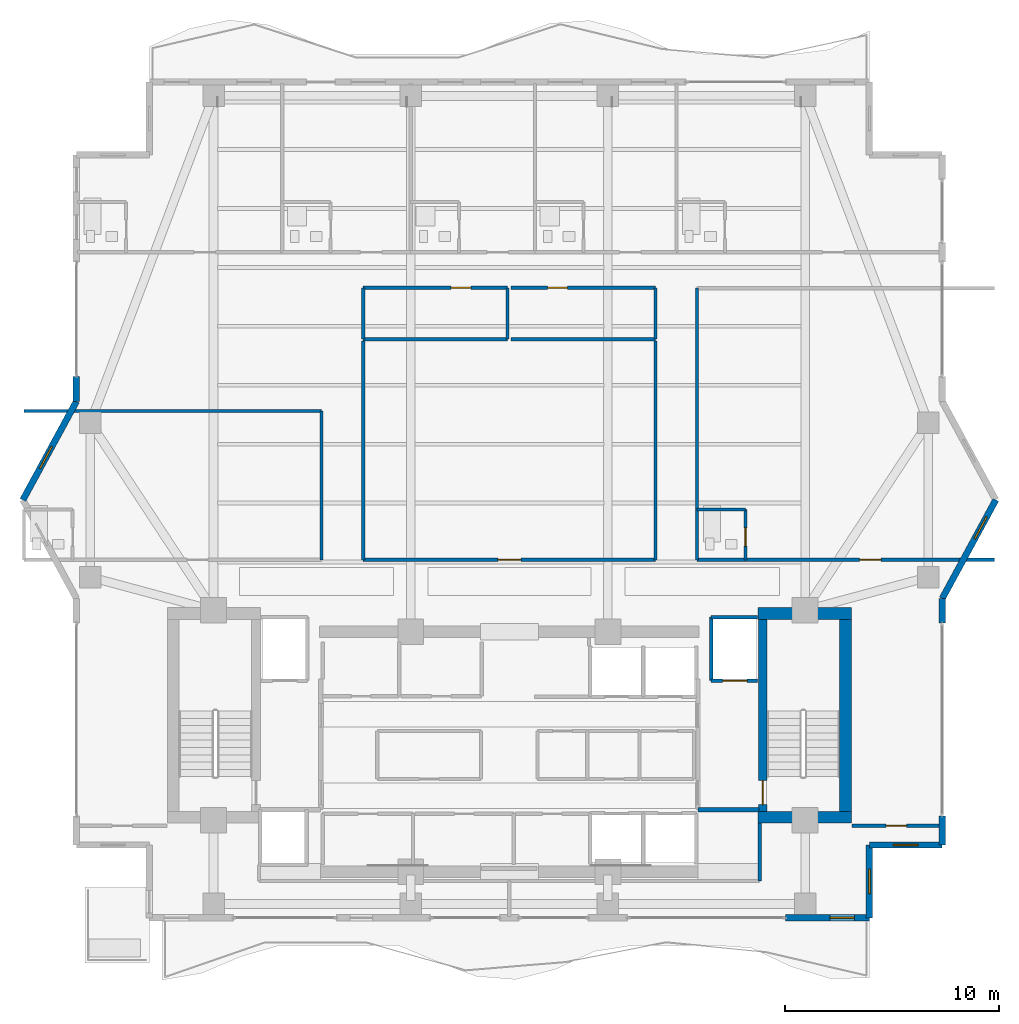
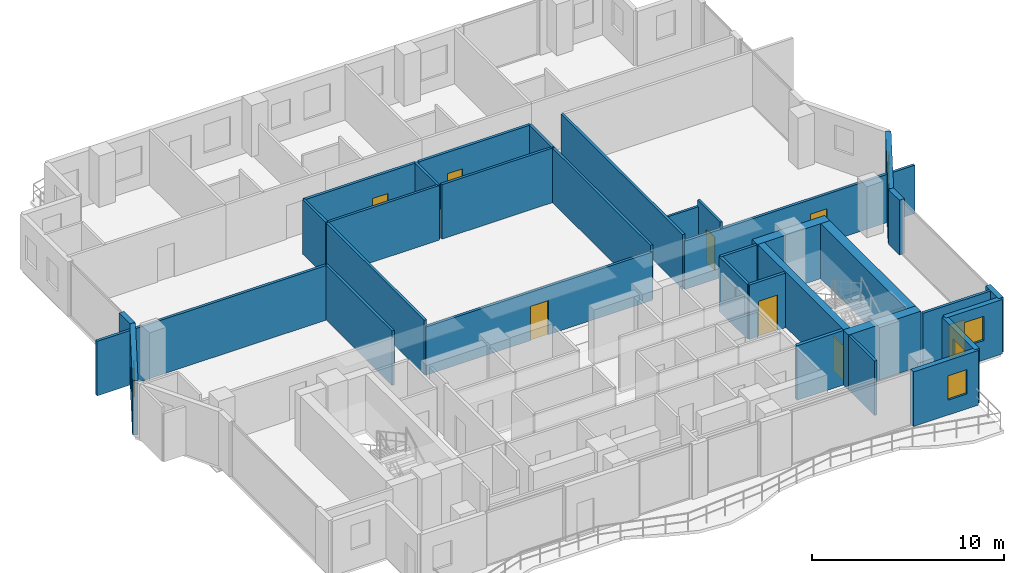
# One storey, part 22 of 28: 34 walls, 8 doors, 5 windows, 13 openings.
"""IFC4 building model written with IfcOpenShell, lengths in metres."""

from ifc_helpers import new_model, si_unit, direction, frame, frame_2d, origin, place, context, subcontext, project, spatial, rectangle, extrude, material, layer, layer_set, type_object, element, fill, save


model = new_model("IFC4")

# Units and contexts
model_context = context("Model", 3, precision=1e-05, world=origin(), true_north=direction((0.0, 1.0)))
body_context = subcontext(model_context, "Body", "Model", "MODEL_VIEW")
ifc_project = project(units=[si_unit("LENGTHUNIT", "METRE"), si_unit("AREAUNIT", "SQUARE_METRE"), si_unit("VOLUMEUNIT", "CUBIC_METRE"), si_unit("PLANEANGLEUNIT", "RADIAN"), si_unit("MASSUNIT", "GRAM", prefix="KILO")], contexts=[model_context])

# Site, building, storey
site_placement = place(None, origin())
site = spatial("IfcSite", under=ifc_project, at=site_placement, CompositionType="ELEMENT")
building_placement = place(site_placement, origin())
building = spatial("IfcBuilding", under=site, at=building_placement, Name="Zuhayl Quay Hotel", CompositionType="ELEMENT")
storey_placement = place(building_placement, frame((0.0, 0.0, 239.64990234375)))
storey = spatial("IfcBuildingStorey", under=building, at=storey_placement, Name="L60", CompositionType="ELEMENT", Elevation=239.64990234375)

# Walls
ifc_material_1 = material(Name="Concrete C50/60", Category="concrete")
ifc_layer_1 = layer(ifc_material_1, 0.550048828125, Name="Concrete C50/60", Category="concrete")
ifc_layer_set_1 = layer_set([ifc_layer_1], Name="Concrete C50/60")
wall_type_1 = type_object("IfcWallType", Name="WL_CORE_550", PredefinedType="SHEAR", material=ifc_layer_set_1)
wall_1_placement = place(storey_placement, frame((11.60009765625, 14.205078125, 0.0), z_axis=(0.0, 0.0, 1.0), x_axis=(1.0, 0.0, 0.0)))
element("IfcWall", 1, at=wall_1_placement, inside=storey, type_object=wall_type_1, Name="L60 Core Shear Wall CW_NE", PredefinedType="SHEAR", context=body_context, shape_type="SweptSolid", body=[
    extrude(rectangle(XDim=4.35986328125, YDim=0.550048828125, at=frame_2d((2.179931640625, 0.0))), origin(), (0.0, 0.0, 1.0), 3.510009765625),
])
wall_2_placement = place(storey_placement, frame((15.68505859375, 4.969970703125, 0.0), z_axis=(0.0, 0.0, 1.0), x_axis=(0.0, 1.0, 0.0)))
element("IfcWall", 2, at=wall_2_placement, inside=storey, type_object=wall_type_1, Name="L60 Core Shear Wall CW_E", PredefinedType="SHEAR", context=body_context, shape_type="SweptSolid", body=[
    extrude(rectangle(XDim=8.9599609375, YDim=0.550048828125, at=frame_2d((4.47998046875, 0.0))), origin(), (0.0, 0.0, 1.0), 3.510009765625),
])
wall_3_placement = place(storey_placement, frame((11.60009765625, 4.695068359375, 0.0), z_axis=(0.0, 0.0, 1.0), x_axis=(1.0, 0.0, 0.0)))
element("IfcWall", 3, at=wall_3_placement, inside=storey, type_object=wall_type_1, Name="L60 Core Shear Wall CW_SE", PredefinedType="SHEAR", context=body_context, shape_type="SweptSolid", body=[
    extrude(rectangle(XDim=4.35986328125, YDim=0.550048828125, at=frame_2d((2.179931640625, 0.0))), origin(), (0.0, 0.0, 1.0), 3.510009765625),
])

# Wall, opening, window
ifc_material_2 = material(Name="Precast concrete C45/55", Category="concrete")
ifc_layer_2 = layer(ifc_material_2, 0.300048828125, Name="Precast concrete C45/55", Category="concrete")
ifc_layer_set_2 = layer_set([ifc_layer_2], Name="Precast concrete C45/55")
wall_type_2 = type_object("IfcWallType", Name="WL_EXT_300", PredefinedType="STANDARD", material=ifc_layer_set_2)
wall_4_placement = place(storey_placement, frame((-22.699951171875, 19.5, 0.0), z_axis=(0.0, 0.0, 1.0), x_axis=(0.477505494629, 0.878628762675, 0.0)))
wall_4 = element("IfcWall", 4, at=wall_4_placement, inside=storey, type_object=wall_type_2, Name="L60 Exterior Precast Wall ENV_L60_EW04", PredefinedType="STANDARD", context=body_context, shape_type="SweptSolid", body=[
    extrude(rectangle(XDim=5.235595703125, YDim=0.300048828125, at=frame_2d((2.61767578125, 0.0))), origin(), (0.0, 0.0, 1.0), 3.47998046875),
])
opening_1_placement = place(wall_4_placement, frame((1.6787109375, 0.0, 1.25)))
opening_1 = element("IfcOpeningElement", 5, at=opening_1_placement, cuts=wall_4, Name="Opening W01N", PredefinedType="OPENING", context=body_context, shape_type="SweptSolid", body=[
    extrude(rectangle(XDim=1.14990234375, YDim=1.550048828125, at=frame_2d((0.574951171875, 0.77490234375))), frame((0.0, 0.159912109375, 0.0), z_axis=(0.0, -1.0, 0.0), x_axis=(1.0, 0.0, 0.0)), (0.0, 0.0, 1.0), 0.320068359375),
])
ifc_material_3 = material(Name="Dark Ceramic-Fritted Solar Glass", Category="glass")
window_type = type_object("IfcWindowType", Name="WN_NOTCH_1350", PartitioningType="SINGLE_PANEL", PredefinedType="WINDOW", material=ifc_material_3)
window_1_placement = place(opening_1_placement, origin())
window_1 = element("IfcWindow", 6, at=window_1_placement, inside=storey, type_object=window_type, Name="L60 Corner Notch Window 4", OverallHeight=1.550048828125, OverallWidth=1.14990234375, PartitioningType="SINGLE_PANEL", PredefinedType="WINDOW", context=body_context, shape_type="SweptSolid", body=[
    extrude(rectangle(XDim=1.14990234375, YDim=1.550048828125, at=frame_2d((0.574951171875, 0.77490234375))), frame((0.0, 0.030029296875, 0.0), z_axis=(0.0, -1.0, 0.0), x_axis=(1.0, 0.0, 0.0)), (0.0, 0.0, 1.0), 0.06005859375),
])
fill(opening_1, window_1)

# Wall
wall_5_placement = place(storey_placement, frame((-20.199951171875, 24.10009765625, 0.0), z_axis=(0.0, 0.0, 1.0), x_axis=(0.0, 1.0, 0.0)))
element("IfcWall", 7, at=wall_5_placement, inside=storey, type_object=wall_type_2, Name="L60 Exterior Precast Wall ENV_L60_E05_EW1", PredefinedType="STANDARD", context=body_context, shape_type="SweptSolid", body=[
    extrude(rectangle(XDim=1.14990234375, YDim=0.300048828125, at=frame_2d((0.574951171875, 0.0))), origin(), (0.0, 0.0, 1.0), 3.47998046875),
])

# Wall, opening, window
wall_6_placement = place(storey_placement, frame((22.699951171875, 19.5, 0.0), z_axis=(0.0, 0.0, 1.0), x_axis=(-0.477505494629, -0.878628762675, 0.0)))
wall_6 = element("IfcWall", 8, at=wall_6_placement, inside=storey, type_object=wall_type_2, Name="L60 Exterior Precast Wall ENV_L60_EW13", PredefinedType="STANDARD", context=body_context, shape_type="SweptSolid", body=[
    extrude(rectangle(XDim=5.235595703125, YDim=0.300048828125, at=frame_2d((2.61767578125, 0.0))), origin(), (0.0, 0.0, 1.0), 3.47998046875),
])
opening_2_placement = place(wall_6_placement, frame((0.91064453125, 0.0, 1.25)))
opening_2 = element("IfcOpeningElement", 9, at=opening_2_placement, cuts=wall_6, Name="Opening W01N", PredefinedType="OPENING", context=body_context, shape_type="SweptSolid", body=[
    extrude(rectangle(XDim=1.14990234375, YDim=1.550048828125, at=frame_2d((0.574951171875, 0.77490234375))), frame((0.0, 0.159912109375, 0.0), z_axis=(0.0, -1.0, 0.0), x_axis=(1.0, 0.0, 0.0)), (0.0, 0.0, 1.0), 0.320068359375),
])
window_2_placement = place(opening_2_placement, origin())
window_2 = element("IfcWindow", 10, at=window_2_placement, inside=storey, type_object=window_type, Name="L60 Corner Notch Window 13", OverallHeight=1.550048828125, OverallWidth=1.14990234375, PartitioningType="SINGLE_PANEL", PredefinedType="WINDOW", context=body_context, shape_type="SweptSolid", body=[
    extrude(rectangle(XDim=1.14990234375, YDim=1.550048828125, at=frame_2d((0.574951171875, 0.77490234375))), frame((0.0, 0.030029296875, 0.0), z_axis=(0.0, -1.0, 0.0), x_axis=(1.0, 0.0, 0.0)), (0.0, 0.0, 1.0), 0.06005859375),
])
fill(opening_2, window_2)

# Walls
wall_7_placement = place(storey_placement, frame((20.199951171875, 14.89990234375, 0.0), z_axis=(0.0, 0.0, 1.0), x_axis=(0.0, -1.0, 0.0)))
element("IfcWall", 11, at=wall_7_placement, inside=storey, type_object=wall_type_2, Name="L60 Exterior Precast Wall ENV_L60_E14_EW1", PredefinedType="STANDARD", context=body_context, shape_type="SweptSolid", body=[
    extrude(rectangle(XDim=1.14990234375, YDim=0.300048828125, at=frame_2d((0.574951171875, 0.0))), origin(), (0.0, 0.0, 1.0), 3.47998046875),
])
wall_8_placement = place(storey_placement, frame((20.199951171875, 4.75, 0.0), z_axis=(0.0, 0.0, 1.0), x_axis=(0.0, -1.0, 0.0)))
element("IfcWall", 12, at=wall_8_placement, inside=storey, type_object=wall_type_2, Name="L60 Exterior Precast Wall ENV_L60_E14_EW2", PredefinedType="STANDARD", context=body_context, shape_type="SweptSolid", body=[
    extrude(rectangle(XDim=1.35009765625, YDim=0.300048828125, at=frame_2d((0.675048828125, 0.0))), origin(), (0.0, 0.0, 1.0), 3.47998046875),
])

# Wall, opening, window
wall_9_placement = place(storey_placement, frame((20.199951171875, 3.39990234375, 0.0), z_axis=(0.0, 0.0, 1.0), x_axis=(-1.0, 0.0, 0.0)))
wall_9 = element("IfcWall", 13, at=wall_9_placement, inside=storey, type_object=wall_type_2, Name="L60 Exterior Precast Wall ENV_L60_EW15", PredefinedType="STANDARD", context=body_context, shape_type="SweptSolid", body=[
    extrude(rectangle(XDim=3.39990234375, YDim=0.300048828125, at=frame_2d((1.699951171875, 0.0))), origin(), (0.0, 0.0, 1.0), 3.47998046875),
])
opening_3_placement = place(wall_9_placement, frame((1.125, 0.0, 1.25)))
opening_3 = element("IfcOpeningElement", 14, at=opening_3_placement, cuts=wall_9, Name="Opening W01N", PredefinedType="OPENING", context=body_context, shape_type="SweptSolid", body=[
    extrude(rectangle(XDim=1.14990234375, YDim=1.550048828125, at=frame_2d((0.574951171875, 0.77490234375))), frame((0.0, 0.159912109375, 0.0), z_axis=(0.0, -1.0, 0.0), x_axis=(1.0, 0.0, 0.0)), (0.0, 0.0, 1.0), 0.320068359375),
])
window_3_placement = place(opening_3_placement, origin())
window_3 = element("IfcWindow", 15, at=window_3_placement, inside=storey, type_object=window_type, Name="L60 Corner Notch Window 15", OverallHeight=1.550048828125, OverallWidth=1.14990234375, PartitioningType="SINGLE_PANEL", PredefinedType="WINDOW", context=body_context, shape_type="SweptSolid", body=[
    extrude(rectangle(XDim=1.14990234375, YDim=1.550048828125, at=frame_2d((0.574951171875, 0.77490234375))), frame((0.0, 0.030029296875, 0.0), z_axis=(0.0, -1.0, 0.0), x_axis=(1.0, 0.0, 0.0)), (0.0, 0.0, 1.0), 0.06005859375),
])
fill(opening_3, window_3)

wall_10_placement = place(storey_placement, frame((16.800048828125, 3.39990234375, 0.0), z_axis=(0.0, 0.0, 1.0), x_axis=(0.0, -1.0, 0.0)))
wall_10 = element("IfcWall", 16, at=wall_10_placement, inside=storey, type_object=wall_type_2, Name="L60 Exterior Precast Wall ENV_L60_EW16", PredefinedType="STANDARD", context=body_context, shape_type="SweptSolid", body=[
    extrude(rectangle(XDim=3.39990234375, YDim=0.300048828125, at=frame_2d((1.699951171875, 0.0))), origin(), (0.0, 0.0, 1.0), 3.47998046875),
])
opening_4_placement = place(wall_10_placement, frame((1.125, 0.0, 1.25)))
opening_4 = element("IfcOpeningElement", 17, at=opening_4_placement, cuts=wall_10, Name="Opening W01N", PredefinedType="OPENING", context=body_context, shape_type="SweptSolid", body=[
    extrude(rectangle(XDim=1.14990234375, YDim=1.550048828125, at=frame_2d((0.574951171875, 0.77490234375))), frame((0.0, 0.159912109375, 0.0), z_axis=(0.0, -1.0, 0.0), x_axis=(1.0, 0.0, 0.0)), (0.0, 0.0, 1.0), 0.320068359375),
])
window_4_placement = place(opening_4_placement, origin())
window_4 = element("IfcWindow", 18, at=window_4_placement, inside=storey, type_object=window_type, Name="L60 Corner Notch Window 16", OverallHeight=1.550048828125, OverallWidth=1.14990234375, PartitioningType="SINGLE_PANEL", PredefinedType="WINDOW", context=body_context, shape_type="SweptSolid", body=[
    extrude(rectangle(XDim=1.14990234375, YDim=1.550048828125, at=frame_2d((0.574951171875, 0.77490234375))), frame((0.0, 0.030029296875, 0.0), z_axis=(0.0, -1.0, 0.0), x_axis=(1.0, 0.0, 0.0)), (0.0, 0.0, 1.0), 0.06005859375),
])
fill(opening_4, window_4)

wall_11_placement = place(storey_placement, frame((16.800048828125, 0.0, 0.0), z_axis=(0.0, 0.0, 1.0), x_axis=(-1.0, 0.0, 0.0)))
wall_11 = element("IfcWall", 19, at=wall_11_placement, inside=storey, type_object=wall_type_2, Name="L60 Exterior Precast Wall ENV_L60_S_EW1", PredefinedType="STANDARD", context=body_context, shape_type="SweptSolid", body=[
    extrude(rectangle(XDim=3.920166015625, YDim=0.300048828125, at=frame_2d((1.9599609375, 0.0))), origin(), (0.0, 0.0, 1.0), 3.47998046875),
])
opening_5_placement = place(wall_11_placement, frame((0.695068359375, 0.0, 0.949951171875)))
opening_5 = element("IfcOpeningElement", 20, at=opening_5_placement, cuts=wall_11, Name="Opening W01N", PredefinedType="OPENING", context=body_context, shape_type="SweptSolid", body=[
    extrude(rectangle(XDim=1.14990234375, YDim=1.550048828125, at=frame_2d((0.574951171875, 0.77490234375))), frame((0.0, 0.159912109375, 0.0), z_axis=(0.0, -1.0, 0.0), x_axis=(1.0, 0.0, 0.0)), (0.0, 0.0, 1.0), 0.320068359375),
])
window_5_placement = place(opening_5_placement, origin())
window_5 = element("IfcWindow", 21, at=window_5_placement, inside=storey, type_object=window_type, Name="L60 Operable Facade Window 1-1", OverallHeight=1.550048828125, OverallWidth=1.14990234375, PartitioningType="SINGLE_PANEL", PredefinedType="WINDOW", context=body_context, shape_type="SweptSolid", body=[
    extrude(rectangle(XDim=1.14990234375, YDim=1.550048828125, at=frame_2d((0.574951171875, 0.77490234375))), frame((0.0, 0.030029296875, 0.0), z_axis=(0.0, -1.0, 0.0), x_axis=(1.0, 0.0, 0.0)), (0.0, 0.0, 1.0), 0.06005859375),
])
fill(opening_5, window_5)

# Walls
ifc_material_4 = material(Name="Acoustic Gypsum Partition STC-58")
ifc_layer_3 = layer(ifc_material_4, 0.14990234375, Name="Acoustic Gypsum Partition STC-58")
ifc_layer_set_3 = layer_set([ifc_layer_3], Name="Acoustic Gypsum Partition STC-58")
wall_type_3 = type_object("IfcWallType", Name="WL_PART_150", PredefinedType="PARTITIONING", material=ifc_layer_set_3)
wall_12_placement = place(storey_placement, frame((11.679931640625, 1.719970703125, 0.0), z_axis=(0.0, 0.0, 1.0), x_axis=(0.0, 1.0, 0.0)))
element("IfcWall", 22, at=wall_12_placement, inside=storey, type_object=wall_type_3, Name="L60 Partition IW_L60_Z4_SUN_SE_IN", PredefinedType="PARTITIONING", context=body_context, shape_type="SweptSolid", body=[
    extrude(rectangle(XDim=2.699951171875, YDim=0.14990234375, at=frame_2d((1.35009765625, 0.0))), origin(), (0.0, 0.0, 1.0), 3.47998046875),
])
wall_13_placement = place(storey_placement, frame((-6.820068359375, 27.0, 0.0), z_axis=(0.0, 0.0, 1.0), x_axis=(1.0, 0.0, 0.0)))
element("IfcWall", 23, at=wall_13_placement, inside=storey, type_object=wall_type_3, Name="L60 Partition IW_L60_HK_MAIN_S", PredefinedType="PARTITIONING", context=body_context, shape_type="SweptSolid", body=[
    extrude(rectangle(XDim=6.739990234375, YDim=0.14990234375, at=frame_2d((3.3701171875, 0.0))), origin(), (0.0, 0.0, 1.0), 3.47998046875),
])
for number, where, z_axis, x_axis, name in (
    (24, (-6.820068359375, 27.0, 0.0), (0.0, 0.0, 1.0), (0.0, 1.0, 0.0), "L60 Partition IW_L60_HK_MAIN_W"),
    (25, (-0.080078125, 27.0, 0.0), (0.0, 0.0, 1.0), (0.0, 1.0, 0.0), "L60 Partition IW_L60_HK_MAIN_E"),
):
    element("IfcWall", number, at=place(storey_placement, frame(where, z_axis=z_axis, x_axis=x_axis)), inside=storey, type_object=wall_type_3, Name=name, PredefinedType="PARTITIONING", context=body_context, shape_type="SweptSolid", body=[
        extrude(rectangle(XDim=2.39990234375, YDim=0.14990234375, at=frame_2d((1.199951171875, 0.0))), origin(), (0.0, 0.0, 1.0), 3.47998046875),
    ])
wall_14_placement = place(storey_placement, frame((0.080078125, 27.0, 0.0), z_axis=(0.0, 0.0, 1.0), x_axis=(1.0, 0.0, 0.0)))
element("IfcWall", 26, at=wall_14_placement, inside=storey, type_object=wall_type_3, Name="L60 Partition IW_L60_TEA_MAIN_S", PredefinedType="PARTITIONING", context=body_context, shape_type="SweptSolid", body=[
    extrude(rectangle(XDim=6.739990234375, YDim=0.14990234375, at=frame_2d((3.3701171875, 0.0))), origin(), (0.0, 0.0, 1.0), 3.47998046875),
])
wall_15_placement = place(storey_placement, frame((6.820068359375, 27.0, 0.0), z_axis=(0.0, 0.0, 1.0), x_axis=(0.0, 1.0, 0.0)))
element("IfcWall", 27, at=wall_15_placement, inside=storey, type_object=wall_type_3, Name="L60 Partition IW_L60_TEA_MAIN_E", PredefinedType="PARTITIONING", context=body_context, shape_type="SweptSolid", body=[
    extrude(rectangle(XDim=2.39990234375, YDim=0.14990234375, at=frame_2d((1.199951171875, 0.0))), origin(), (0.0, 0.0, 1.0), 3.47998046875),
])
for number, where, z_axis, x_axis, name in (
    (28, (-6.820068359375, 16.699951171875, 0.0), (0.0, 0.0, 1.0), (0.0, 1.0, 0.0), "L60 Partition IW_L60_Z4_MAJ_W"),
    (29, (6.820068359375, 16.699951171875, 0.0), (0.0, 0.0, 1.0), (0.0, 1.0, 0.0), "L60 Partition IW_L60_Z4_MAJ_E"),
):
    element("IfcWall", number, at=place(storey_placement, frame(where, z_axis=z_axis, x_axis=x_axis)), inside=storey, type_object=wall_type_3, Name=name, PredefinedType="PARTITIONING", context=body_context, shape_type="SweptSolid", body=[
        extrude(rectangle(XDim=10.219970703125, YDim=0.14990234375, at=frame_2d((5.10986328125, 0.0))), origin(), (0.0, 0.0, 1.0), 3.47998046875),
    ])
wall_16_placement = place(storey_placement, frame((-8.760009765625, 16.699951171875, 0.0), z_axis=(0.0, 0.0, 1.0), x_axis=(0.0, 1.0, 0.0)))
element("IfcWall", 30, at=wall_16_placement, inside=storey, type_object=wall_type_3, Name="L60 Partition IW_L60_WU01_E", PredefinedType="PARTITIONING", context=body_context, shape_type="SweptSolid", body=[
    extrude(rectangle(XDim=6.949951171875, YDim=0.14990234375, at=frame_2d((3.47509765625, 0.0))), origin(), (0.0, 0.0, 1.0), 3.47998046875),
])
wall_17_placement = place(storey_placement, frame((8.760009765625, 16.699951171875, 0.0), z_axis=(0.0, 0.0, 1.0), x_axis=(0.0, 1.0, 0.0)))
element("IfcWall", 31, at=wall_17_placement, inside=storey, type_object=wall_type_3, Name="L60 Partition IW_L60_EU01_W", PredefinedType="PARTITIONING", context=body_context, shape_type="SweptSolid", body=[
    extrude(rectangle(XDim=12.679931640625, YDim=0.14990234375, at=frame_2d((6.33984375, 0.0))), origin(), (0.0, 0.0, 1.0), 3.47998046875),
])

# Wall, opening, door
ifc_layer_4 = layer(ifc_material_4, 0.159912109375, Name="Acoustic Gypsum Partition STC-58")
ifc_layer_set_4 = layer_set([ifc_layer_4], Name="Acoustic Gypsum Partition STC-58")
wall_type_4 = type_object("IfcWallType", Name="WL_PART_CORR_160", PredefinedType="PARTITIONING", material=ifc_layer_set_4)
wall_18_placement = place(storey_placement, frame((15.97998046875, 4.300048828125, 0.0), z_axis=(0.0, 0.0, 1.0), x_axis=(1.0, 0.0, 0.0)))
wall_18 = element("IfcWall", 32, at=wall_18_placement, inside=storey, type_object=wall_type_4, Name="L60 Partition IW_L60_Z4_SUN_SE_N", PredefinedType="PARTITIONING", context=body_context, shape_type="SweptSolid", body=[
    extrude(rectangle(XDim=4.159912109375, YDim=0.159912109375, at=frame_2d((2.080078125, 0.0))), origin(), (0.0, 0.0, 1.0), 3.47998046875),
])
opening_6_placement = place(wall_18_placement, frame((1.60498046875, 0.0, 0.0)))
opening_6 = element("IfcOpeningElement", 33, at=opening_6_placement, cuts=wall_18, Name="Opening D03", PredefinedType="OPENING", context=body_context, shape_type="SweptSolid", body=[
    extrude(rectangle(XDim=0.949951171875, YDim=2.14990234375, at=frame_2d((0.47509765625, 1.074951171875))), frame((0.0, 0.08984375, 0.0), z_axis=(0.0, -1.0, 0.0), x_axis=(1.0, 0.0, 0.0)), (0.0, 0.0, 1.0), 0.179931640625),
])
ifc_material_5 = material(Name="Solid Walnut Acoustic Fire Door")
door_type_1 = type_object("IfcDoorType", Name="DR_SUITE_950", OperationType="NOTDEFINED", PredefinedType="DOOR", material=ifc_material_5)
door_1_placement = place(opening_6_placement, origin())
door_1 = element("IfcDoor", 34, at=door_1_placement, inside=storey, type_object=door_type_1, Name="L60 Sunset Salon SE Door", OperationType="SINGLE_SWING_RIGHT", OverallHeight=2.14990234375, OverallWidth=0.949951171875, PredefinedType="DOOR", context=body_context, shape_type="SweptSolid", body=[
    extrude(rectangle(XDim=0.949951171875, YDim=2.14990234375, at=frame_2d((0.47509765625, 1.074951171875))), frame((0.0, 0.02490234375, 0.0), z_axis=(0.0, -1.0, 0.0), x_axis=(1.0, 0.0, 0.0)), (0.0, 0.0, 1.0), 0.050048828125),
])
fill(opening_6, door_1)

wall_19_placement = place(storey_placement, frame((-6.820068359375, 29.39990234375, 0.0), z_axis=(0.0, 0.0, 1.0), x_axis=(1.0, 0.0, 0.0)))
wall_19 = element("IfcWall", 35, at=wall_19_placement, inside=storey, type_object=wall_type_4, Name="L60 Partition IW_L60_HK_MAIN_N", PredefinedType="PARTITIONING", context=body_context, shape_type="SweptSolid", body=[
    extrude(rectangle(XDim=6.739990234375, YDim=0.159912109375, at=frame_2d((3.3701171875, 0.0))), origin(), (0.0, 0.0, 1.0), 3.47998046875),
])
opening_7_placement = place(wall_19_placement, frame((4.110107421875, 0.0, 0.0)))
opening_7 = element("IfcOpeningElement", 36, at=opening_7_placement, cuts=wall_19, Name="Opening D05", PredefinedType="OPENING", context=body_context, shape_type="SweptSolid", body=[
    extrude(rectangle(XDim=0.919921875, YDim=2.1201171875, at=frame_2d((0.4599609375, 1.06005859375))), frame((0.0, 0.08984375, 0.0), z_axis=(0.0, -1.0, 0.0), x_axis=(1.0, 0.0, 0.0)), (0.0, 0.0, 1.0), 0.179931640625),
])
door_type_2 = type_object("IfcDoorType", Name="DR_INT_950", OperationType="NOTDEFINED", PredefinedType="DOOR", material=ifc_material_5)
door_2_placement = place(opening_7_placement, origin())
door_2 = element("IfcDoor", 37, at=door_2_placement, inside=storey, type_object=door_type_2, Name="L60 Housekeeping and Linen Room Door", OperationType="SINGLE_SWING_LEFT", OverallHeight=2.1201171875, OverallWidth=0.919921875, PredefinedType="DOOR", context=body_context, shape_type="SweptSolid", body=[
    extrude(rectangle(XDim=0.919921875, YDim=2.1201171875, at=frame_2d((0.4599609375, 1.06005859375))), frame((0.0, 0.02490234375, 0.0), z_axis=(0.0, -1.0, 0.0), x_axis=(1.0, 0.0, 0.0)), (0.0, 0.0, 1.0), 0.050048828125),
])
fill(opening_7, door_2)

wall_20_placement = place(storey_placement, frame((0.080078125, 29.39990234375, 0.0), z_axis=(0.0, 0.0, 1.0), x_axis=(1.0, 0.0, 0.0)))
wall_20 = element("IfcWall", 38, at=wall_20_placement, inside=storey, type_object=wall_type_4, Name="L60 Partition IW_L60_TEA_MAIN_N", PredefinedType="PARTITIONING", context=body_context, shape_type="SweptSolid", body=[
    extrude(rectangle(XDim=6.739990234375, YDim=0.159912109375, at=frame_2d((3.3701171875, 0.0))), origin(), (0.0, 0.0, 1.0), 3.47998046875),
])
opening_8_placement = place(wall_20_placement, frame((1.7099609375, 0.0, 0.0)))
opening_8 = element("IfcOpeningElement", 39, at=opening_8_placement, cuts=wall_20, Name="Opening D05", PredefinedType="OPENING", context=body_context, shape_type="SweptSolid", body=[
    extrude(rectangle(XDim=0.919921875, YDim=2.1201171875, at=frame_2d((0.4599609375, 1.06005859375))), frame((0.0, 0.08984375, 0.0), z_axis=(0.0, -1.0, 0.0), x_axis=(1.0, 0.0, 0.0)), (0.0, 0.0, 1.0), 0.179931640625),
])
door_3_placement = place(opening_8_placement, origin())
door_3 = element("IfcDoor", 40, at=door_3_placement, inside=storey, type_object=door_type_2, Name="L60 Floor Beverage Pantry Door", OperationType="SINGLE_SWING_RIGHT", OverallHeight=2.1201171875, OverallWidth=0.919921875, PredefinedType="DOOR", context=body_context, shape_type="SweptSolid", body=[
    extrude(rectangle(XDim=0.919921875, YDim=2.1201171875, at=frame_2d((0.4599609375, 1.06005859375))), frame((0.0, 0.02490234375, 0.0), z_axis=(0.0, -1.0, 0.0), x_axis=(1.0, 0.0, 0.0)), (0.0, 0.0, 1.0), 0.050048828125),
])
fill(opening_8, door_3)

wall_21_placement = place(storey_placement, frame((-6.820068359375, 16.699951171875, 0.0), z_axis=(0.0, 0.0, 1.0), x_axis=(1.0, 0.0, 0.0)))
wall_21 = element("IfcWall", 41, at=wall_21_placement, inside=storey, type_object=wall_type_4, Name="L60 Partition IW_L60_Z4_MAJ_S", PredefinedType="PARTITIONING", context=body_context, shape_type="SweptSolid", body=[
    extrude(rectangle(XDim=13.64013671875, YDim=0.159912109375, at=frame_2d((6.820068359375, 0.0))), origin(), (0.0, 0.0, 1.0), 3.076171875),
])
opening_9_placement = place(wall_21_placement, frame((6.280029296875, 0.0, 0.0)))
opening_9 = element("IfcOpeningElement", 42, at=opening_9_placement, cuts=wall_21, Name="Opening D05A", PredefinedType="OPENING", context=body_context, shape_type="SweptSolid", body=[
    extrude(rectangle(XDim=1.080078125, YDim=2.179931640625, at=frame_2d((0.5400390625, 1.08984375))), frame((0.0, 0.08984375, 0.0), z_axis=(0.0, -1.0, 0.0), x_axis=(1.0, 0.0, 0.0)), (0.0, 0.0, 1.0), 0.179931640625),
])
door_type_3 = type_object("IfcDoorType", Name="DR_INT_1100", OperationType="NOTDEFINED", PredefinedType="DOOR", material=ifc_material_5)
door_4_placement = place(opening_9_placement, origin())
door_4 = element("IfcDoor", 43, at=door_4_placement, inside=storey, type_object=door_type_3, Name="L60 Royal Gulf Majlis Door", OperationType="SINGLE_SWING_LEFT", OverallHeight=2.179931640625, OverallWidth=1.080078125, PredefinedType="DOOR", context=body_context, shape_type="SweptSolid", body=[
    extrude(rectangle(XDim=1.080078125, YDim=2.179931640625, at=frame_2d((0.5400390625, 1.08984375))), frame((0.0, 0.02490234375, 0.0), z_axis=(0.0, -1.0, 0.0), x_axis=(1.0, 0.0, 0.0)), (0.0, 0.0, 1.0), 0.050048828125),
])
fill(opening_9, door_4)

wall_22_placement = place(storey_placement, frame((8.760009765625, 16.699951171875, 0.0), z_axis=(0.0, 0.0, 1.0), x_axis=(1.0, 0.0, 0.0)))
wall_22 = element("IfcWall", 44, at=wall_22_placement, inside=storey, type_object=wall_type_4, Name="L60 Partition IW_L60_EU01_COR", PredefinedType="PARTITIONING", context=body_context, shape_type="SweptSolid", body=[
    extrude(rectangle(XDim=13.8798828125, YDim=0.159912109375, at=frame_2d((6.93994140625, 0.0))), origin(), (0.0, 0.0, 1.0), 3.076171875),
])
opening_10_placement = place(wall_22_placement, frame((7.590087890625, 0.0, 0.0)))
opening_10 = element("IfcOpeningElement", 45, at=opening_10_placement, cuts=wall_22, Name="Opening D03L", PredefinedType="OPENING", context=body_context, shape_type="SweptSolid", body=[
    extrude(rectangle(XDim=1.0, YDim=2.14990234375, at=frame_2d((0.5, 1.074951171875))), frame((0.0, 0.08984375, 0.0), z_axis=(0.0, -1.0, 0.0), x_axis=(1.0, 0.0, 0.0)), (0.0, 0.0, 1.0), 0.179931640625),
])
door_type_4 = type_object("IfcDoorType", Name="DR_SUITE_1000", OperationType="NOTDEFINED", PredefinedType="DOOR", material=ifc_material_5)
door_5_placement = place(opening_10_placement, origin())
door_5 = element("IfcDoor", 46, at=door_5_placement, inside=storey, type_object=door_type_4, Name="L60 East Gulf Suite L60-E1 Entrance Door", OperationType="SINGLE_SWING_LEFT", OverallHeight=2.14990234375, OverallWidth=1.0, PredefinedType="DOOR", context=body_context, shape_type="SweptSolid", body=[
    extrude(rectangle(XDim=1.0, YDim=2.14990234375, at=frame_2d((0.5, 1.074951171875))), frame((0.0, 0.02490234375, 0.0), z_axis=(0.0, -1.0, 0.0), x_axis=(1.0, 0.0, 0.0)), (0.0, 0.0, 1.0), 0.050048828125),
])
fill(opening_10, door_5)

# Wall
wall_23_placement = place(storey_placement, frame((-22.639892578125, 23.64990234375, 0.0), z_axis=(0.0, 0.0, 1.0), x_axis=(1.0, 0.0, 0.0)))
element("IfcWall", 47, at=wall_23_placement, inside=storey, type_object=wall_type_4, Name="L60 Partition IW_L60_WU01_BK", PredefinedType="PARTITIONING", context=body_context, shape_type="SweptSolid", body=[
    extrude(rectangle(XDim=13.8798828125, YDim=0.159912109375, at=frame_2d((6.93994140625, 0.0))), origin(), (0.0, 0.0, 1.0), 3.47998046875),
])

# Wall, opening, door
ifc_material_6 = material(Name="Moisture-Resistant Sanitarychase Gypsum")
ifc_layer_5 = layer(ifc_material_6, 0.135009765625, Name="Moisture-Resistant Sanitarychase Gypsum")
ifc_layer_set_5 = layer_set([ifc_layer_5], Name="Moisture-Resistant Sanitarychase Gypsum")
wall_type_5 = type_object("IfcWallType", Name="WL_PART_PLUMB_150", PredefinedType="PLUMBINGWALL", material=ifc_layer_set_5)
wall_24_placement = place(storey_placement, frame((11.02001953125, 16.699951171875, 0.0), z_axis=(0.0, 0.0, 1.0), x_axis=(0.0, 1.0, 0.0)))
wall_24 = element("IfcWall", 48, at=wall_24_placement, inside=storey, type_object=wall_type_5, Name="L60 Partition IW_L60_EU01_BE", PredefinedType="PLUMBINGWALL", context=body_context, shape_type="SweptSolid", body=[
    extrude(rectangle(XDim=2.360107421875, YDim=0.135009765625, at=frame_2d((1.18017578125, 0.0))), origin(), (0.0, 0.0, 1.0), 3.47998046875),
])
opening_11_placement = place(wall_24_placement, frame((0.64990234375, 0.0, 0.0)))
opening_11 = element("IfcOpeningElement", 49, at=opening_11_placement, cuts=wall_24, Name="Opening D04", PredefinedType="OPENING", context=body_context, shape_type="SweptSolid", body=[
    extrude(rectangle(XDim=0.85009765625, YDim=2.10009765625, at=frame_2d((0.425048828125, 1.050048828125))), frame((0.0, 0.077392578125, 0.0), z_axis=(0.0, -1.0, 0.0), x_axis=(1.0, 0.0, 0.0)), (0.0, 0.0, 1.0), 0.155029296875),
])
ifc_material_7 = material(Name="Moisture-Resistant Walnut Veneer")
door_type_5 = type_object("IfcDoorType", Name="DR_BATH_850", OperationType="NOTDEFINED", PredefinedType="DOOR", material=ifc_material_7)
door_6_placement = place(opening_11_placement, origin())
door_6 = element("IfcDoor", 50, at=door_6_placement, inside=storey, type_object=door_type_5, Name="L60 East Gulf Suite L60-E1 En-Suite Door", OperationType="SINGLE_SWING_RIGHT", OverallHeight=2.10009765625, OverallWidth=0.85009765625, PredefinedType="DOOR", context=body_context, shape_type="SweptSolid", body=[
    extrude(rectangle(XDim=0.85009765625, YDim=2.10009765625, at=frame_2d((0.425048828125, 1.050048828125))), frame((0.0, 0.02490234375, 0.0), z_axis=(0.0, -1.0, 0.0), x_axis=(1.0, 0.0, 0.0)), (0.0, 0.0, 1.0), 0.050048828125),
])
fill(opening_11, door_6)

# Wall
wall_25_placement = place(storey_placement, frame((8.760009765625, 19.06005859375, 0.0), z_axis=(0.0, 0.0, 1.0), x_axis=(1.0, 0.0, 0.0)))
element("IfcWall", 51, at=wall_25_placement, inside=storey, type_object=wall_type_5, Name="L60 Partition IW_L60_EU01_BN", PredefinedType="PLUMBINGWALL", context=body_context, shape_type="SweptSolid", body=[
    extrude(rectangle(XDim=2.260009765625, YDim=0.135009765625, at=frame_2d((1.1298828125, 0.0))), origin(), (0.0, 0.0, 1.0), 3.076171875),
])

# Wall, opening, door
ifc_material_8 = material(Name="Gypsum Fireboard Assembly EI-90")
ifc_layer_6 = layer(ifc_material_8, 0.1650390625, Name="Gypsum Fireboard Assembly EI-90")
ifc_layer_set_6 = layer_set([ifc_layer_6], Name="Gypsum Fireboard Assembly EI-90")
wall_type_6 = type_object("IfcWallType", Name="WL_PART_SHAFT_160", PredefinedType="PARTITIONING", material=ifc_layer_set_6)
wall_26_placement = place(storey_placement, frame((9.419921875, 11.070068359375, 0.0), z_axis=(0.0, 0.0, 1.0), x_axis=(1.0, 0.0, 0.0)))
wall_26 = element("IfcWall", 52, at=wall_26_placement, inside=storey, type_object=wall_type_6, Name="L60 Partition IW_L60_SH_FL2_F", PredefinedType="PARTITIONING", context=body_context, shape_type="SweptSolid", body=[
    extrude(rectangle(XDim=2.16015625, YDim=0.1650390625, at=frame_2d((1.080078125, 0.0))), origin(), (0.0, 0.0, 1.0), 3.47998046875),
])
opening_12_placement = place(wall_26_placement, frame((0.530029296875, 0.0, 0.0)))
opening_12 = element("IfcOpeningElement", 53, at=opening_12_placement, cuts=wall_26, Name="Opening LD2", PredefinedType="OPENING", context=body_context, shape_type="SweptSolid", body=[
    extrude(rectangle(XDim=1.14990234375, YDim=2.25, at=frame_2d((0.574951171875, 1.125))), frame((0.0, 0.092529296875, 0.0), z_axis=(0.0, -1.0, 0.0), x_axis=(1.0, 0.0, 0.0)), (0.0, 0.0, 1.0), 0.18505859375),
])
ifc_material_9 = material(Name="Brushed Stainless Steel", Category="steel")
door_type_6 = type_object("IfcDoorType", Name="DR_LIFT_FF_1100", OperationType="SLIDING_TO_LEFT", PredefinedType="DOOR", material=ifc_material_9)
door_7_placement = place(opening_12_placement, origin())
door_7 = element("IfcDoor", 54, at=door_7_placement, inside=storey, type_object=door_type_6, Name="L60 Lift FL2 Sliding Landing Door", OperationType="SLIDING_TO_LEFT", OverallHeight=2.25, OverallWidth=1.14990234375, PredefinedType="DOOR", context=body_context, shape_type="SweptSolid", body=[
    extrude(rectangle(XDim=1.14990234375, YDim=2.25, at=frame_2d((0.574951171875, 1.125))), frame((0.0, 0.02490234375, 0.0), z_axis=(0.0, -1.0, 0.0), x_axis=(1.0, 0.0, 0.0)), (0.0, 0.0, 1.0), 0.050048828125),
])
fill(opening_12, door_7)

# Walls
wall_27_placement = place(storey_placement, frame((9.419921875, 11.070068359375, 0.0), z_axis=(0.0, 0.0, 1.0), x_axis=(0.0, 1.0, 0.0)))
element("IfcWall", 55, at=wall_27_placement, inside=storey, type_object=wall_type_6, Name="L60 Partition IW_L60_SH_FL2_W", PredefinedType="PARTITIONING", context=body_context, shape_type="SweptSolid", body=[
    extrude(rectangle(XDim=2.9599609375, YDim=0.1650390625, at=frame_2d((1.47998046875, 0.0))), origin(), (0.0, 0.0, 1.0), 3.47998046875),
])
wall_28_placement = place(storey_placement, frame((9.419921875, 14.030029296875, 0.0), z_axis=(0.0, 0.0, 1.0), x_axis=(1.0, 0.0, 0.0)))
element("IfcWall", 56, at=wall_28_placement, inside=storey, type_object=wall_type_6, Name="L60 Partition IW_L60_SH_FL2_B", PredefinedType="PARTITIONING", context=body_context, shape_type="SweptSolid", body=[
    extrude(rectangle(XDim=2.16015625, YDim=0.1650390625, at=frame_2d((1.080078125, 0.0))), origin(), (0.0, 0.0, 1.0), 3.47998046875),
])
ifc_material_10 = material(Name="Gypsum Fireboard Assembly EI-120")
ifc_layer_7 = layer(ifc_material_10, 0.199951171875, Name="Gypsum Fireboard Assembly EI-120")
ifc_layer_set_7 = layer_set([ifc_layer_7], Name="Gypsum Fireboard Assembly EI-120")
wall_type_7 = type_object("IfcWallType", Name="WL_PART_SHAFT_200", PredefinedType="PARTITIONING", material=ifc_layer_set_7)
wall_29_placement = place(storey_placement, frame((8.800048828125, 5.050048828125, 0.0), z_axis=(0.0, 0.0, 1.0), x_axis=(1.0, 0.0, 0.0)))
element("IfcWall", 57, at=wall_29_placement, inside=storey, type_object=wall_type_7, Name="L60 Partition IW_L60_FSAE_E_S", PredefinedType="PARTITIONING", context=body_context, shape_type="SweptSolid", body=[
    extrude(rectangle(XDim=2.849853515625, YDim=0.199951171875, at=frame_2d((1.4248046875, 0.0))), origin(), (0.0, 0.0, 1.0), 3.47998046875),
])

# Wall, opening, door
ifc_material_11 = material(Name="Concrete C60/75", Category="concrete")
ifc_layer_8 = layer(ifc_material_11, 0.39990234375, Name="Concrete C60/75", Category="concrete")
ifc_layer_set_8 = layer_set([ifc_layer_8], Name="Concrete C60/75")
wall_type_8 = type_object("IfcWallType", Name="WL_STAIR_400", PredefinedType="SHEAR", material=ifc_layer_set_8)
wall_30_placement = place(storey_placement, frame((11.820068359375, 13.929931640625, 0.0), z_axis=(0.0, 0.0, 1.0), x_axis=(0.0, -1.0, 0.0)))
wall_30 = element("IfcWall", 58, at=wall_30_placement, inside=storey, type_object=wall_type_8, Name="L60 Core Shear Wall SW_ST2", PredefinedType="SHEAR", context=body_context, shape_type="SweptSolid", body=[
    extrude(rectangle(XDim=8.9599609375, YDim=0.39990234375, at=frame_2d((4.47998046875, 0.0))), origin(), (0.0, 0.0, 1.0), 3.510009765625),
])
opening_13_placement = place(wall_30_placement, frame((7.530029296875, 0.0, 0.0)))
opening_13 = element("IfcOpeningElement", 59, at=opening_13_placement, cuts=wall_30, Name="Opening D01", PredefinedType="OPENING", context=body_context, shape_type="SweptSolid", body=[
    extrude(rectangle(XDim=1.1201171875, YDim=2.219970703125, at=frame_2d((0.56005859375, 1.10986328125))), frame((0.0, 0.2099609375, 0.0), z_axis=(0.0, -1.0, 0.0), x_axis=(1.0, 0.0, 0.0)), (0.0, 0.0, 1.0), 0.419921875),
])
ifc_material_12 = material(Name="Steel ASTM A992 Grade 50", Category="steel")
door_type_7 = type_object("IfcDoorType", Name="DR_STAIR_90_1100", OperationType="NOTDEFINED", PredefinedType="DOOR", material=ifc_material_12)
door_8_placement = place(opening_13_placement, origin())
door_8 = element("IfcDoor", 60, at=door_8_placement, inside=storey, type_object=door_type_7, Name="L60 Smokeproof Exit Stair ST2 Door", OperationType="SINGLE_SWING_RIGHT", OverallHeight=2.219970703125, OverallWidth=1.1201171875, PredefinedType="DOOR", context=body_context, shape_type="SweptSolid", body=[
    extrude(rectangle(XDim=1.1201171875, YDim=2.219970703125, at=frame_2d((0.56005859375, 1.10986328125))), frame((0.0, 0.02490234375, 0.0), z_axis=(0.0, -1.0, 0.0), x_axis=(1.0, 0.0, 0.0)), (0.0, 0.0, 1.0), 0.050048828125),
])
fill(opening_13, door_8)

save(model, "model.ifc")
